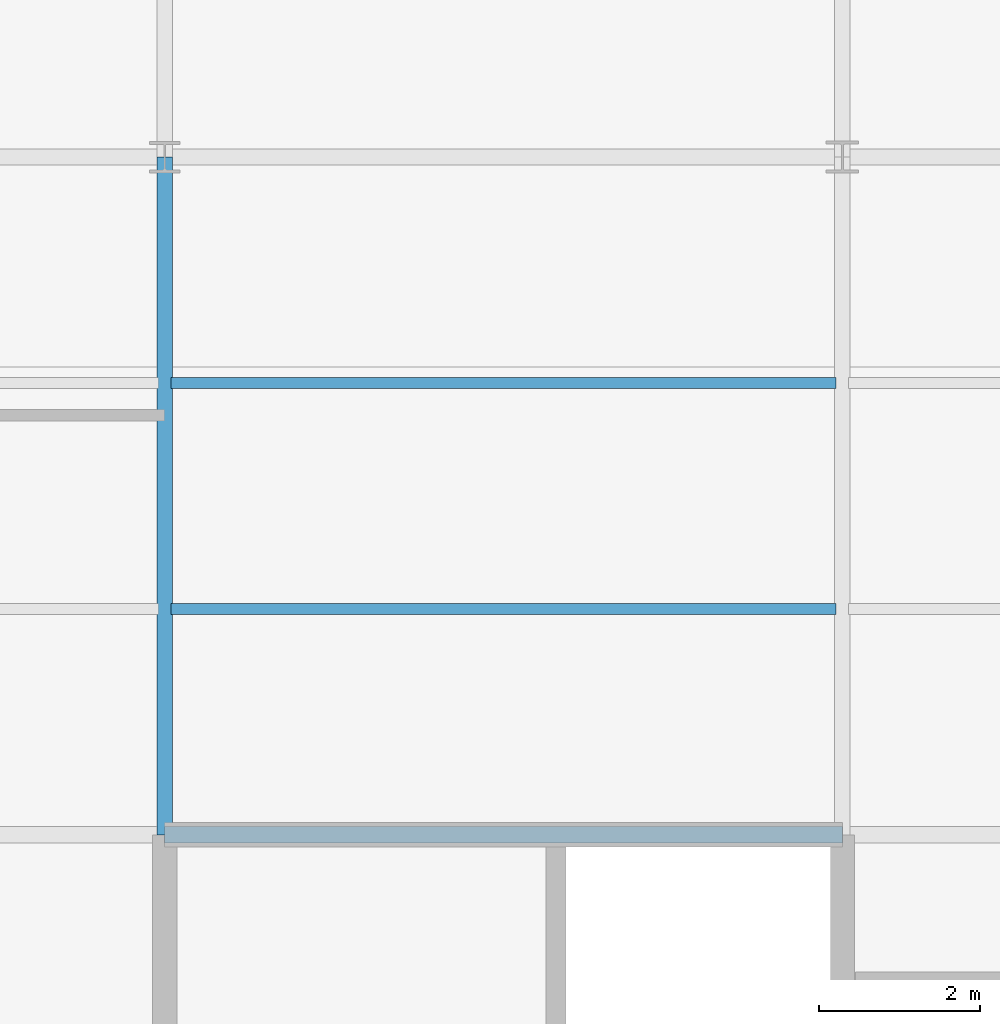
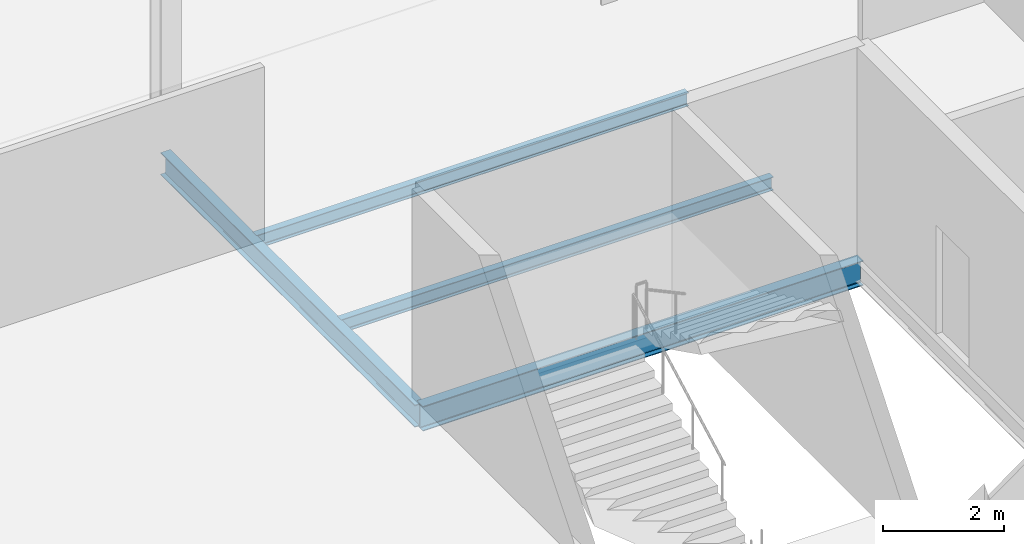
# One storey, part 28 of 184: 4 beams.
"""IFC4 building model written with IfcOpenShell, lengths in metres."""

from ifc_helpers import new_model, si_unit, direction, frame, origin, origin_2d, place, context, subcontext, project, spatial, i_section, extrude, material, material_profile, profile_set, type_object, element, save


model = new_model("IFC4")

# Units and contexts
model_context = context("Model", 3, precision=1e-05, world=origin(), true_north=direction((0.0, 1.0)))
body_context = subcontext(model_context, "Body", "Model", "MODEL_VIEW")
ifc_project = project(units=[si_unit("LENGTHUNIT", "METRE"), si_unit("AREAUNIT", "SQUARE_METRE"), si_unit("VOLUMEUNIT", "CUBIC_METRE"), si_unit("PLANEANGLEUNIT", "RADIAN"), si_unit("MASSUNIT", "GRAM", prefix="KILO")], contexts=[model_context])

# Site, building, storey
site_placement = place(None, origin())
site = spatial("IfcSite", under=ifc_project, at=site_placement, CompositionType="ELEMENT")
building_placement = place(site_placement, origin())
building = spatial("IfcBuilding", under=site, at=building_placement, Name="Qalvenar Corner Mobility Hub", CompositionType="ELEMENT")
storey_placement = place(building_placement, frame((0.0, 0.0, 9.0)))
storey = spatial("IfcBuildingStorey", under=building, at=storey_placement, Name="L02", CompositionType="ELEMENT", Elevation=9.0)

# Beams
ifc_material = material(Name="Steel S355", Category="steel")
ifc_material_profile_1 = material_profile(ifc_material, i_section(OverallWidth=0.18994140625, OverallDepth=0.449951171875, WebThickness=0.009521484375, FlangeThickness=0.0146484375, FilletRadius=0.02099609375, at=origin_2d()), Name="IPE450")
ifc_profile_set_1 = profile_set([ifc_material_profile_1], Name="Steel S355")
beam_type_1 = type_object("IfcBeamType", Name="BM-IPE450", PredefinedType="BEAM", material=ifc_profile_set_1)
beam_1_placement = place(storey_placement, frame((8.39990234375, 16.800048828125, -0.405029296875), z_axis=(0.0, 1.0, 0.0), x_axis=(-1.0, 0.0, 0.0)))
element("IfcBeam", 1, at=beam_1_placement, inside=storey, type_object=beam_type_1, Name="Primary Steel Girder GY-1584", PredefinedType="BEAM", context=body_context, shape_type="SweptSolid", body=[
    extrude(i_section(OverallWidth=0.18994140625, OverallDepth=0.449951171875, WebThickness=0.009521484375, FlangeThickness=0.0146484375, FilletRadius=0.02099609375, at=origin_2d()), origin(), (0.0, 0.0, 1.0), 8.39990234375),
])
ifc_material_profile_2 = material_profile(ifc_material, i_section(OverallWidth=0.199951171875, OverallDepth=0.5, WebThickness=0.01025390625, FlangeThickness=0.01611328125, FilletRadius=0.02099609375, at=origin_2d()), Name="IPE500")
ifc_profile_set_2 = profile_set([ifc_material_profile_2], Name="Steel S355")
beam_type_2 = type_object("IfcBeamType", Name="BM-IPE500", PredefinedType="BEAM", material=ifc_profile_set_2)
beam_2_placement = place(storey_placement, frame((8.39990234375, 16.800048828125, -0.429931640625), z_axis=(1.0, 0.0, 0.0), x_axis=(0.0, 1.0, 0.0)))
element("IfcBeam", 2, at=beam_2_placement, inside=storey, type_object=beam_type_2, Name="Primary Steel Girder GX-1554", PredefinedType="BEAM", context=body_context, shape_type="SweptSolid", body=[
    extrude(i_section(OverallWidth=0.199951171875, OverallDepth=0.5, WebThickness=0.01025390625, FlangeThickness=0.01611328125, FilletRadius=0.02099609375, at=origin_2d()), origin(), (0.0, 0.0, 1.0), 8.400146484375),
])
ifc_material_profile_3 = material_profile(ifc_material, i_section(OverallWidth=0.135009765625, OverallDepth=0.27001953125, WebThickness=0.006591796875, FlangeThickness=0.01025390625, FilletRadius=0.014892578125, at=origin_2d()), Name="IPE270")
ifc_profile_set_3 = profile_set([ifc_material_profile_3], Name="Steel S355")
beam_type_3 = type_object("IfcBeamType", Name="BM-JST270", PredefinedType="JOIST", material=ifc_profile_set_3)
for number, where, z_axis, x_axis, name in (
    (3, (8.47802734375, 19.60009765625, -0.31494140625), (1.0, 0.0, 0.0), (0.0, 1.0, 0.0), "Composite Floor Joist J-1625"),
    (4, (8.47802734375, 22.39990234375, -0.31494140625), (1.0, 0.0, 0.0), (0.0, 1.0, 0.0), "Composite Floor Joist J-1626"),
):
    element("IfcBeam", number, at=place(storey_placement, frame(where, z_axis=z_axis, x_axis=x_axis)), inside=storey, type_object=beam_type_3, Name=name, PredefinedType="JOIST", context=body_context, shape_type="SweptSolid", body=[
        extrude(i_section(OverallWidth=0.135009765625, OverallDepth=0.27001953125, WebThickness=0.006591796875, FlangeThickness=0.01025390625, FilletRadius=0.014892578125, at=origin_2d()), origin(), (0.0, 0.0, 1.0), 8.243896484375),
    ])

save(model, "model.ifc")
